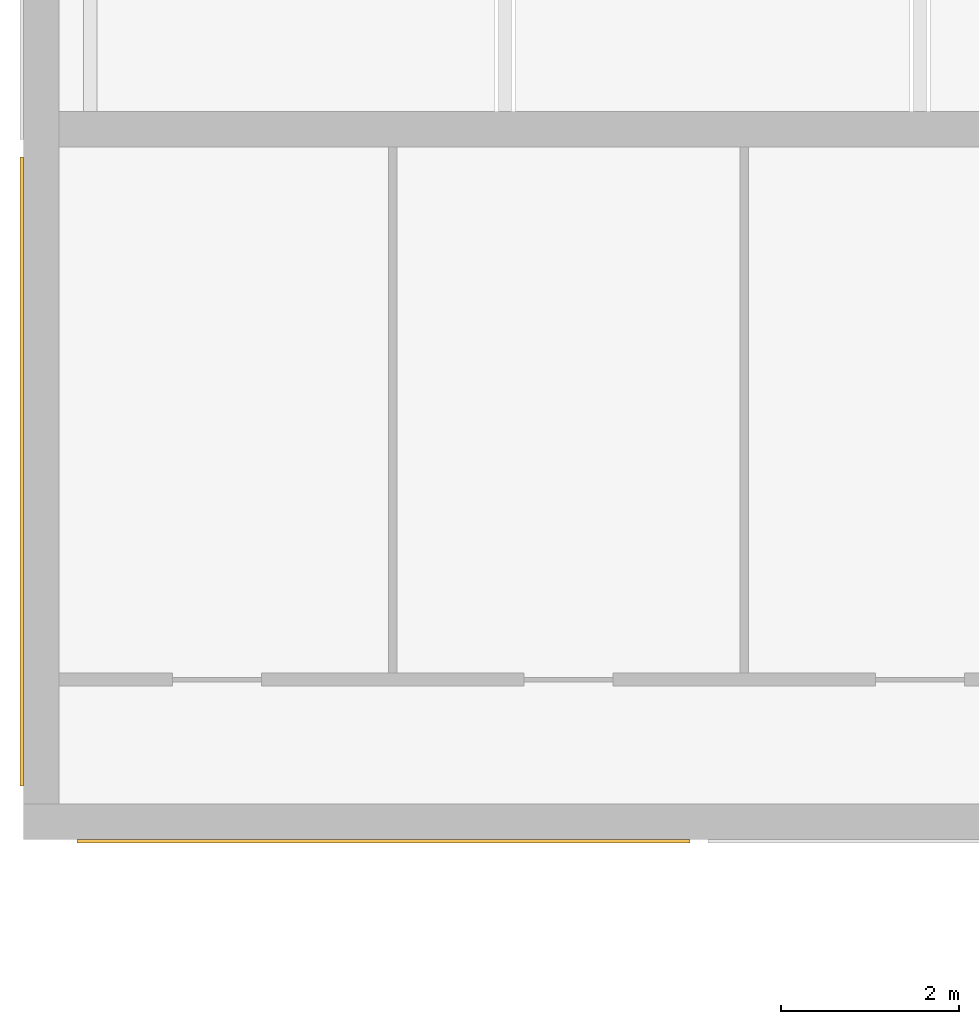
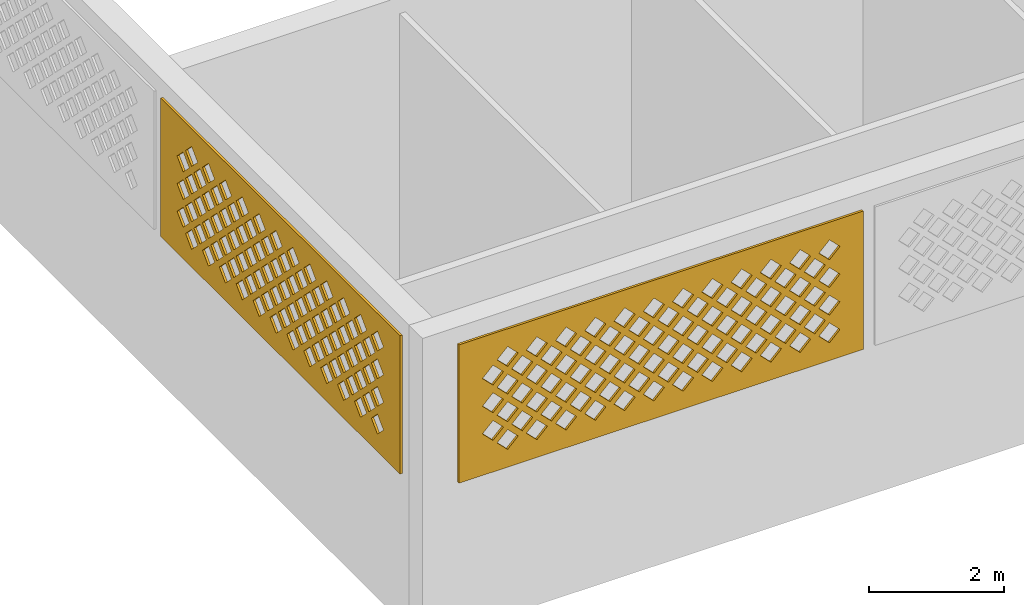
# One storey, part 24 of 69: 2 coverings.
"""IFC4 building model written with IfcOpenShell, lengths in metres."""

from ifc_helpers import new_model, si_unit, direction, frame, origin, place, context, subcontext, project, spatial, polyline, outline, extrude, material, layer, layer_set, type_object, element, save


model = new_model("IFC4")

# Units and contexts
model_context = context("Model", 3, precision=1e-05, world=origin(), true_north=direction((0.0, 1.0)))
body_context = subcontext(model_context, "Body", "Model", "MODEL_VIEW")
ifc_project = project(units=[si_unit("LENGTHUNIT", "METRE"), si_unit("AREAUNIT", "SQUARE_METRE"), si_unit("VOLUMEUNIT", "CUBIC_METRE"), si_unit("PLANEANGLEUNIT", "RADIAN"), si_unit("MASSUNIT", "GRAM", prefix="KILO")], contexts=[model_context])

# Site, building, storey
site_placement = place(None, origin())
site = spatial("IfcSite", under=ifc_project, at=site_placement, CompositionType="ELEMENT")
building_placement = place(site_placement, origin())
building = spatial("IfcBuilding", under=site, at=building_placement, Name="Noorbagh Ring Tower", CompositionType="ELEMENT")
storey_placement = place(building_placement, frame((0.0, 0.0, 19.5)))
storey = spatial("IfcBuildingStorey", under=building, at=storey_placement, Name="L03", CompositionType="ELEMENT", Elevation=19.5)

# Coverings
ifc_material = material(Name="Red sandstone jali", Category="masonry")
ifc_layer = layer(ifc_material, 0.0400390625)
ifc_layer_set = layer_set([ifc_layer], Name="Red sandstone jali")
covering_type = type_object("IfcCoveringType", Name="STH-BAND", PredefinedType="USERDEFINED", material=ifc_layer_set)
covering_1_placement = place(storey_placement, frame((-159.39990234375, -21.0400390625, 2.699951171875), z_axis=(0.0, -1.0, 0.0), x_axis=(1.0, 0.0, 0.0)))
element("IfcCovering", 1, at=covering_1_placement, inside=storey, type_object=covering_type, Name="Jali band", ObjectType="JALI SCREEN", PredefinedType="USERDEFINED", context=body_context, shape_type="SweptSolid", body=[
    extrude(outline(polyline([(0.0, 0.0), (6.910888671875, 0.0), (6.910888671875, 2.5), (0.0, 2.5), (0.0, 0.0)]), holes=[polyline([(0.650634765625, 0.5), (0.83056640625, 0.320068359375), (1.010498046875, 0.5), (0.83056640625, 0.679931640625), (0.650634765625, 0.5)]), polyline([(1.150634765625, 0.5), (1.33056640625, 0.320068359375), (1.510498046875, 0.5), (1.33056640625, 0.679931640625), (1.150634765625, 0.5)]), polyline([(1.650634765625, 0.5), (1.83056640625, 0.320068359375), (2.010498046875, 0.5), (1.83056640625, 0.679931640625), (1.650634765625, 0.5)]), polyline([(2.150634765625, 0.5), (2.33056640625, 0.320068359375), (2.510498046875, 0.5), (2.33056640625, 0.679931640625), (2.150634765625, 0.5)]), polyline([(2.650634765625, 0.5), (2.83056640625, 0.320068359375), (3.010498046875, 0.5), (2.83056640625, 0.679931640625), (2.650634765625, 0.5)]), polyline([(3.150634765625, 0.5), (3.33056640625, 0.320068359375), (3.510498046875, 0.5), (3.33056640625, 0.679931640625), (3.150634765625, 0.5)]), polyline([(3.650634765625, 0.5), (3.83056640625, 0.320068359375), (4.010498046875, 0.5), (3.83056640625, 0.679931640625), (3.650634765625, 0.5)]), polyline([(4.150634765625, 0.5), (4.33056640625, 0.320068359375), (4.510498046875, 0.5), (4.33056640625, 0.679931640625), (4.150634765625, 0.5)]), polyline([(4.650634765625, 0.5), (4.83056640625, 0.320068359375), (5.010498046875, 0.5), (4.83056640625, 0.679931640625), (4.650634765625, 0.5)]), polyline([(5.150634765625, 0.5), (5.33056640625, 0.320068359375), (5.510498046875, 0.5), (5.33056640625, 0.679931640625), (5.150634765625, 0.5)]), polyline([(5.650634765625, 0.5), (5.83056640625, 0.320068359375), (6.010498046875, 0.5), (5.83056640625, 0.679931640625), (5.650634765625, 0.5)]), polyline([(6.150634765625, 0.5), (6.33056640625, 0.320068359375), (6.510498046875, 0.5), (6.33056640625, 0.679931640625), (6.150634765625, 0.5)]), polyline([(0.400634765625, 0.75), (0.58056640625, 0.570068359375), (0.760498046875, 0.75), (0.58056640625, 0.929931640625), (0.400634765625, 0.75)]), polyline([(0.900634765625, 0.75), (1.08056640625, 0.570068359375), (1.260498046875, 0.75), (1.08056640625, 0.929931640625), (0.900634765625, 0.75)]), polyline([(1.400634765625, 0.75), (1.58056640625, 0.570068359375), (1.760498046875, 0.75), (1.58056640625, 0.929931640625), (1.400634765625, 0.75)]), polyline([(1.900634765625, 0.75), (2.08056640625, 0.570068359375), (2.260498046875, 0.75), (2.08056640625, 0.929931640625), (1.900634765625, 0.75)]), polyline([(2.400634765625, 0.75), (2.58056640625, 0.570068359375), (2.760498046875, 0.75), (2.58056640625, 0.929931640625), (2.400634765625, 0.75)]), polyline([(2.900634765625, 0.75), (3.08056640625, 0.570068359375), (3.260498046875, 0.75), (3.08056640625, 0.929931640625), (2.900634765625, 0.75)]), polyline([(3.400634765625, 0.75), (3.58056640625, 0.570068359375), (3.760498046875, 0.75), (3.58056640625, 0.929931640625), (3.400634765625, 0.75)]), polyline([(3.900634765625, 0.75), (4.08056640625, 0.570068359375), (4.260498046875, 0.75), (4.08056640625, 0.929931640625), (3.900634765625, 0.75)]), polyline([(4.400634765625, 0.75), (4.58056640625, 0.570068359375), (4.760498046875, 0.75), (4.58056640625, 0.929931640625), (4.400634765625, 0.75)]), polyline([(4.900634765625, 0.75), (5.08056640625, 0.570068359375), (5.260498046875, 0.75), (5.08056640625, 0.929931640625), (4.900634765625, 0.75)]), polyline([(5.400634765625, 0.75), (5.58056640625, 0.570068359375), (5.760498046875, 0.75), (5.58056640625, 0.929931640625), (5.400634765625, 0.75)]), polyline([(5.900634765625, 0.75), (6.08056640625, 0.570068359375), (6.260498046875, 0.75), (6.08056640625, 0.929931640625), (5.900634765625, 0.75)]), polyline([(0.650634765625, 1.0), (0.83056640625, 0.820068359375), (1.010498046875, 1.0), (0.83056640625, 1.179931640625), (0.650634765625, 1.0)]), polyline([(1.150634765625, 1.0), (1.33056640625, 0.820068359375), (1.510498046875, 1.0), (1.33056640625, 1.179931640625), (1.150634765625, 1.0)]), polyline([(1.650634765625, 1.0), (1.83056640625, 0.820068359375), (2.010498046875, 1.0), (1.83056640625, 1.179931640625), (1.650634765625, 1.0)]), polyline([(2.150634765625, 1.0), (2.33056640625, 0.820068359375), (2.510498046875, 1.0), (2.33056640625, 1.179931640625), (2.150634765625, 1.0)]), polyline([(2.650634765625, 1.0), (2.83056640625, 0.820068359375), (3.010498046875, 1.0), (2.83056640625, 1.179931640625), (2.650634765625, 1.0)]), polyline([(3.150634765625, 1.0), (3.33056640625, 0.820068359375), (3.510498046875, 1.0), (3.33056640625, 1.179931640625), (3.150634765625, 1.0)]), polyline([(3.650634765625, 1.0), (3.83056640625, 0.820068359375), (4.010498046875, 1.0), (3.83056640625, 1.179931640625), (3.650634765625, 1.0)]), polyline([(4.150634765625, 1.0), (4.33056640625, 0.820068359375), (4.510498046875, 1.0), (4.33056640625, 1.179931640625), (4.150634765625, 1.0)]), polyline([(4.650634765625, 1.0), (4.83056640625, 0.820068359375), (5.010498046875, 1.0), (4.83056640625, 1.179931640625), (4.650634765625, 1.0)]), polyline([(5.150634765625, 1.0), (5.33056640625, 0.820068359375), (5.510498046875, 1.0), (5.33056640625, 1.179931640625), (5.150634765625, 1.0)]), polyline([(5.650634765625, 1.0), (5.83056640625, 0.820068359375), (6.010498046875, 1.0), (5.83056640625, 1.179931640625), (5.650634765625, 1.0)]), polyline([(6.150634765625, 1.0), (6.33056640625, 0.820068359375), (6.510498046875, 1.0), (6.33056640625, 1.179931640625), (6.150634765625, 1.0)]), polyline([(0.400634765625, 1.25), (0.58056640625, 1.070068359375), (0.760498046875, 1.25), (0.58056640625, 1.429931640625), (0.400634765625, 1.25)]), polyline([(0.900634765625, 1.25), (1.08056640625, 1.070068359375), (1.260498046875, 1.25), (1.08056640625, 1.429931640625), (0.900634765625, 1.25)]), polyline([(1.400634765625, 1.25), (1.58056640625, 1.070068359375), (1.760498046875, 1.25), (1.58056640625, 1.429931640625), (1.400634765625, 1.25)]), polyline([(1.900634765625, 1.25), (2.08056640625, 1.070068359375), (2.260498046875, 1.25), (2.08056640625, 1.429931640625), (1.900634765625, 1.25)]), polyline([(2.400634765625, 1.25), (2.58056640625, 1.070068359375), (2.760498046875, 1.25), (2.58056640625, 1.429931640625), (2.400634765625, 1.25)]), polyline([(2.900634765625, 1.25), (3.08056640625, 1.070068359375), (3.260498046875, 1.25), (3.08056640625, 1.429931640625), (2.900634765625, 1.25)]), polyline([(3.400634765625, 1.25), (3.58056640625, 1.070068359375), (3.760498046875, 1.25), (3.58056640625, 1.429931640625), (3.400634765625, 1.25)]), polyline([(3.900634765625, 1.25), (4.08056640625, 1.070068359375), (4.260498046875, 1.25), (4.08056640625, 1.429931640625), (3.900634765625, 1.25)]), polyline([(4.400634765625, 1.25), (4.58056640625, 1.070068359375), (4.760498046875, 1.25), (4.58056640625, 1.429931640625), (4.400634765625, 1.25)]), polyline([(4.900634765625, 1.25), (5.08056640625, 1.070068359375), (5.260498046875, 1.25), (5.08056640625, 1.429931640625), (4.900634765625, 1.25)]), polyline([(5.400634765625, 1.25), (5.58056640625, 1.070068359375), (5.760498046875, 1.25), (5.58056640625, 1.429931640625), (5.400634765625, 1.25)]), polyline([(5.900634765625, 1.25), (6.08056640625, 1.070068359375), (6.260498046875, 1.25), (6.08056640625, 1.429931640625), (5.900634765625, 1.25)]), polyline([(0.650634765625, 1.5), (0.83056640625, 1.320068359375), (1.010498046875, 1.5), (0.83056640625, 1.679931640625), (0.650634765625, 1.5)]), polyline([(1.150634765625, 1.5), (1.33056640625, 1.320068359375), (1.510498046875, 1.5), (1.33056640625, 1.679931640625), (1.150634765625, 1.5)]), polyline([(1.650634765625, 1.5), (1.83056640625, 1.320068359375), (2.010498046875, 1.5), (1.83056640625, 1.679931640625), (1.650634765625, 1.5)]), polyline([(2.150634765625, 1.5), (2.33056640625, 1.320068359375), (2.510498046875, 1.5), (2.33056640625, 1.679931640625), (2.150634765625, 1.5)]), polyline([(2.650634765625, 1.5), (2.83056640625, 1.320068359375), (3.010498046875, 1.5), (2.83056640625, 1.679931640625), (2.650634765625, 1.5)]), polyline([(3.150634765625, 1.5), (3.33056640625, 1.320068359375), (3.510498046875, 1.5), (3.33056640625, 1.679931640625), (3.150634765625, 1.5)]), polyline([(3.650634765625, 1.5), (3.83056640625, 1.320068359375), (4.010498046875, 1.5), (3.83056640625, 1.679931640625), (3.650634765625, 1.5)]), polyline([(4.150634765625, 1.5), (4.33056640625, 1.320068359375), (4.510498046875, 1.5), (4.33056640625, 1.679931640625), (4.150634765625, 1.5)]), polyline([(4.650634765625, 1.5), (4.83056640625, 1.320068359375), (5.010498046875, 1.5), (4.83056640625, 1.679931640625), (4.650634765625, 1.5)]), polyline([(5.150634765625, 1.5), (5.33056640625, 1.320068359375), (5.510498046875, 1.5), (5.33056640625, 1.679931640625), (5.150634765625, 1.5)]), polyline([(5.650634765625, 1.5), (5.83056640625, 1.320068359375), (6.010498046875, 1.5), (5.83056640625, 1.679931640625), (5.650634765625, 1.5)]), polyline([(6.150634765625, 1.5), (6.33056640625, 1.320068359375), (6.510498046875, 1.5), (6.33056640625, 1.679931640625), (6.150634765625, 1.5)]), polyline([(0.400634765625, 1.75), (0.58056640625, 1.570068359375), (0.760498046875, 1.75), (0.58056640625, 1.929931640625), (0.400634765625, 1.75)]), polyline([(0.900634765625, 1.75), (1.08056640625, 1.570068359375), (1.260498046875, 1.75), (1.08056640625, 1.929931640625), (0.900634765625, 1.75)]), polyline([(1.400634765625, 1.75), (1.58056640625, 1.570068359375), (1.760498046875, 1.75), (1.58056640625, 1.929931640625), (1.400634765625, 1.75)]), polyline([(1.900634765625, 1.75), (2.08056640625, 1.570068359375), (2.260498046875, 1.75), (2.08056640625, 1.929931640625), (1.900634765625, 1.75)]), polyline([(2.400634765625, 1.75), (2.58056640625, 1.570068359375), (2.760498046875, 1.75), (2.58056640625, 1.929931640625), (2.400634765625, 1.75)]), polyline([(2.900634765625, 1.75), (3.08056640625, 1.570068359375), (3.260498046875, 1.75), (3.08056640625, 1.929931640625), (2.900634765625, 1.75)]), polyline([(3.400634765625, 1.75), (3.58056640625, 1.570068359375), (3.760498046875, 1.75), (3.58056640625, 1.929931640625), (3.400634765625, 1.75)]), polyline([(3.900634765625, 1.75), (4.08056640625, 1.570068359375), (4.260498046875, 1.75), (4.08056640625, 1.929931640625), (3.900634765625, 1.75)]), polyline([(4.400634765625, 1.75), (4.58056640625, 1.570068359375), (4.760498046875, 1.75), (4.58056640625, 1.929931640625), (4.400634765625, 1.75)]), polyline([(4.900634765625, 1.75), (5.08056640625, 1.570068359375), (5.260498046875, 1.75), (5.08056640625, 1.929931640625), (4.900634765625, 1.75)]), polyline([(5.400634765625, 1.75), (5.58056640625, 1.570068359375), (5.760498046875, 1.75), (5.58056640625, 1.929931640625), (5.400634765625, 1.75)]), polyline([(5.900634765625, 1.75), (6.08056640625, 1.570068359375), (6.260498046875, 1.75), (6.08056640625, 1.929931640625), (5.900634765625, 1.75)]), polyline([(0.650634765625, 2.0), (0.83056640625, 1.820068359375), (1.010498046875, 2.0), (0.83056640625, 2.179931640625), (0.650634765625, 2.0)]), polyline([(1.150634765625, 2.0), (1.33056640625, 1.820068359375), (1.510498046875, 2.0), (1.33056640625, 2.179931640625), (1.150634765625, 2.0)]), polyline([(1.650634765625, 2.0), (1.83056640625, 1.820068359375), (2.010498046875, 2.0), (1.83056640625, 2.179931640625), (1.650634765625, 2.0)]), polyline([(2.150634765625, 2.0), (2.33056640625, 1.820068359375), (2.510498046875, 2.0), (2.33056640625, 2.179931640625), (2.150634765625, 2.0)]), polyline([(2.650634765625, 2.0), (2.83056640625, 1.820068359375), (3.010498046875, 2.0), (2.83056640625, 2.179931640625), (2.650634765625, 2.0)]), polyline([(3.150634765625, 2.0), (3.33056640625, 1.820068359375), (3.510498046875, 2.0), (3.33056640625, 2.179931640625), (3.150634765625, 2.0)]), polyline([(3.650634765625, 2.0), (3.83056640625, 1.820068359375), (4.010498046875, 2.0), (3.83056640625, 2.179931640625), (3.650634765625, 2.0)]), polyline([(4.150634765625, 2.0), (4.33056640625, 1.820068359375), (4.510498046875, 2.0), (4.33056640625, 2.179931640625), (4.150634765625, 2.0)]), polyline([(4.650634765625, 2.0), (4.83056640625, 1.820068359375), (5.010498046875, 2.0), (4.83056640625, 2.179931640625), (4.650634765625, 2.0)]), polyline([(5.150634765625, 2.0), (5.33056640625, 1.820068359375), (5.510498046875, 2.0), (5.33056640625, 2.179931640625), (5.150634765625, 2.0)]), polyline([(5.650634765625, 2.0), (5.83056640625, 1.820068359375), (6.010498046875, 2.0), (5.83056640625, 2.179931640625), (5.650634765625, 2.0)]), polyline([(6.150634765625, 2.0), (6.33056640625, 1.820068359375), (6.510498046875, 2.0), (6.33056640625, 2.179931640625), (6.150634765625, 2.0)])]), origin(), (0.0, 0.0, -1.0), 0.0400390625),
])
covering_2_placement = place(storey_placement, frame((-160.0400390625, -13.314208984375, 2.699951171875), z_axis=(-1.0, 0.0, 0.0), x_axis=(0.0, -1.0, 0.0)))
element("IfcCovering", 2, at=covering_2_placement, inside=storey, type_object=covering_type, Name="Jali band", ObjectType="JALI SCREEN", PredefinedType="USERDEFINED", context=body_context, shape_type="SweptSolid", body=[
    extrude(outline(polyline([(0.0, 0.0), (7.085693359375, 0.0), (7.085693359375, 2.5), (0.0, 2.5), (0.0, 0.0)]), holes=[polyline([(0.73779296875, 0.5), (0.91796875, 0.320068359375), (1.097900390625, 0.5), (0.91796875, 0.679931640625), (0.73779296875, 0.5)]), polyline([(1.23779296875, 0.5), (1.41796875, 0.320068359375), (1.597900390625, 0.5), (1.41796875, 0.679931640625), (1.23779296875, 0.5)]), polyline([(1.73779296875, 0.5), (1.91796875, 0.320068359375), (2.097900390625, 0.5), (1.91796875, 0.679931640625), (1.73779296875, 0.5)]), polyline([(2.23779296875, 0.5), (2.41796875, 0.320068359375), (2.597900390625, 0.5), (2.41796875, 0.679931640625), (2.23779296875, 0.5)]), polyline([(2.73779296875, 0.5), (2.91796875, 0.320068359375), (3.097900390625, 0.5), (2.91796875, 0.679931640625), (2.73779296875, 0.5)]), polyline([(3.23779296875, 0.5), (3.41796875, 0.320068359375), (3.597900390625, 0.5), (3.41796875, 0.679931640625), (3.23779296875, 0.5)]), polyline([(3.73779296875, 0.5), (3.91796875, 0.320068359375), (4.097900390625, 0.5), (3.91796875, 0.679931640625), (3.73779296875, 0.5)]), polyline([(4.23779296875, 0.5), (4.41796875, 0.320068359375), (4.597900390625, 0.5), (4.41796875, 0.679931640625), (4.23779296875, 0.5)]), polyline([(4.73779296875, 0.5), (4.91796875, 0.320068359375), (5.097900390625, 0.5), (4.91796875, 0.679931640625), (4.73779296875, 0.5)]), polyline([(5.23779296875, 0.5), (5.41796875, 0.320068359375), (5.597900390625, 0.5), (5.41796875, 0.679931640625), (5.23779296875, 0.5)]), polyline([(5.73779296875, 0.5), (5.91796875, 0.320068359375), (6.097900390625, 0.5), (5.91796875, 0.679931640625), (5.73779296875, 0.5)]), polyline([(6.23779296875, 0.5), (6.41796875, 0.320068359375), (6.597900390625, 0.5), (6.41796875, 0.679931640625), (6.23779296875, 0.5)]), polyline([(0.48779296875, 0.75), (0.66796875, 0.570068359375), (0.847900390625, 0.75), (0.66796875, 0.929931640625), (0.48779296875, 0.75)]), polyline([(0.98779296875, 0.75), (1.16796875, 0.570068359375), (1.347900390625, 0.75), (1.16796875, 0.929931640625), (0.98779296875, 0.75)]), polyline([(1.48779296875, 0.75), (1.66796875, 0.570068359375), (1.847900390625, 0.75), (1.66796875, 0.929931640625), (1.48779296875, 0.75)]), polyline([(1.98779296875, 0.75), (2.16796875, 0.570068359375), (2.347900390625, 0.75), (2.16796875, 0.929931640625), (1.98779296875, 0.75)]), polyline([(2.48779296875, 0.75), (2.66796875, 0.570068359375), (2.847900390625, 0.75), (2.66796875, 0.929931640625), (2.48779296875, 0.75)]), polyline([(2.98779296875, 0.75), (3.16796875, 0.570068359375), (3.347900390625, 0.75), (3.16796875, 0.929931640625), (2.98779296875, 0.75)]), polyline([(3.48779296875, 0.75), (3.66796875, 0.570068359375), (3.847900390625, 0.75), (3.66796875, 0.929931640625), (3.48779296875, 0.75)]), polyline([(3.98779296875, 0.75), (4.16796875, 0.570068359375), (4.347900390625, 0.75), (4.16796875, 0.929931640625), (3.98779296875, 0.75)]), polyline([(4.48779296875, 0.75), (4.66796875, 0.570068359375), (4.847900390625, 0.75), (4.66796875, 0.929931640625), (4.48779296875, 0.75)]), polyline([(4.98779296875, 0.75), (5.16796875, 0.570068359375), (5.347900390625, 0.75), (5.16796875, 0.929931640625), (4.98779296875, 0.75)]), polyline([(5.48779296875, 0.75), (5.66796875, 0.570068359375), (5.847900390625, 0.75), (5.66796875, 0.929931640625), (5.48779296875, 0.75)]), polyline([(5.98779296875, 0.75), (6.16796875, 0.570068359375), (6.347900390625, 0.75), (6.16796875, 0.929931640625), (5.98779296875, 0.75)]), polyline([(0.73779296875, 1.0), (0.91796875, 0.820068359375), (1.097900390625, 1.0), (0.91796875, 1.179931640625), (0.73779296875, 1.0)]), polyline([(1.23779296875, 1.0), (1.41796875, 0.820068359375), (1.597900390625, 1.0), (1.41796875, 1.179931640625), (1.23779296875, 1.0)]), polyline([(1.73779296875, 1.0), (1.91796875, 0.820068359375), (2.097900390625, 1.0), (1.91796875, 1.179931640625), (1.73779296875, 1.0)]), polyline([(2.23779296875, 1.0), (2.41796875, 0.820068359375), (2.597900390625, 1.0), (2.41796875, 1.179931640625), (2.23779296875, 1.0)]), polyline([(2.73779296875, 1.0), (2.91796875, 0.820068359375), (3.097900390625, 1.0), (2.91796875, 1.179931640625), (2.73779296875, 1.0)]), polyline([(3.23779296875, 1.0), (3.41796875, 0.820068359375), (3.597900390625, 1.0), (3.41796875, 1.179931640625), (3.23779296875, 1.0)]), polyline([(3.73779296875, 1.0), (3.91796875, 0.820068359375), (4.097900390625, 1.0), (3.91796875, 1.179931640625), (3.73779296875, 1.0)]), polyline([(4.23779296875, 1.0), (4.41796875, 0.820068359375), (4.597900390625, 1.0), (4.41796875, 1.179931640625), (4.23779296875, 1.0)]), polyline([(4.73779296875, 1.0), (4.91796875, 0.820068359375), (5.097900390625, 1.0), (4.91796875, 1.179931640625), (4.73779296875, 1.0)]), polyline([(5.23779296875, 1.0), (5.41796875, 0.820068359375), (5.597900390625, 1.0), (5.41796875, 1.179931640625), (5.23779296875, 1.0)]), polyline([(5.73779296875, 1.0), (5.91796875, 0.820068359375), (6.097900390625, 1.0), (5.91796875, 1.179931640625), (5.73779296875, 1.0)]), polyline([(6.23779296875, 1.0), (6.41796875, 0.820068359375), (6.597900390625, 1.0), (6.41796875, 1.179931640625), (6.23779296875, 1.0)]), polyline([(0.48779296875, 1.25), (0.66796875, 1.070068359375), (0.847900390625, 1.25), (0.66796875, 1.429931640625), (0.48779296875, 1.25)]), polyline([(0.98779296875, 1.25), (1.16796875, 1.070068359375), (1.347900390625, 1.25), (1.16796875, 1.429931640625), (0.98779296875, 1.25)]), polyline([(1.48779296875, 1.25), (1.66796875, 1.070068359375), (1.847900390625, 1.25), (1.66796875, 1.429931640625), (1.48779296875, 1.25)]), polyline([(1.98779296875, 1.25), (2.16796875, 1.070068359375), (2.347900390625, 1.25), (2.16796875, 1.429931640625), (1.98779296875, 1.25)]), polyline([(2.48779296875, 1.25), (2.66796875, 1.070068359375), (2.847900390625, 1.25), (2.66796875, 1.429931640625), (2.48779296875, 1.25)]), polyline([(2.98779296875, 1.25), (3.16796875, 1.070068359375), (3.347900390625, 1.25), (3.16796875, 1.429931640625), (2.98779296875, 1.25)]), polyline([(3.48779296875, 1.25), (3.66796875, 1.070068359375), (3.847900390625, 1.25), (3.66796875, 1.429931640625), (3.48779296875, 1.25)]), polyline([(3.98779296875, 1.25), (4.16796875, 1.070068359375), (4.347900390625, 1.25), (4.16796875, 1.429931640625), (3.98779296875, 1.25)]), polyline([(4.48779296875, 1.25), (4.66796875, 1.070068359375), (4.847900390625, 1.25), (4.66796875, 1.429931640625), (4.48779296875, 1.25)]), polyline([(4.98779296875, 1.25), (5.16796875, 1.070068359375), (5.347900390625, 1.25), (5.16796875, 1.429931640625), (4.98779296875, 1.25)]), polyline([(5.48779296875, 1.25), (5.66796875, 1.070068359375), (5.847900390625, 1.25), (5.66796875, 1.429931640625), (5.48779296875, 1.25)]), polyline([(5.98779296875, 1.25), (6.16796875, 1.070068359375), (6.347900390625, 1.25), (6.16796875, 1.429931640625), (5.98779296875, 1.25)]), polyline([(0.73779296875, 1.5), (0.91796875, 1.320068359375), (1.097900390625, 1.5), (0.91796875, 1.679931640625), (0.73779296875, 1.5)]), polyline([(1.23779296875, 1.5), (1.41796875, 1.320068359375), (1.597900390625, 1.5), (1.41796875, 1.679931640625), (1.23779296875, 1.5)]), polyline([(1.73779296875, 1.5), (1.91796875, 1.320068359375), (2.097900390625, 1.5), (1.91796875, 1.679931640625), (1.73779296875, 1.5)]), polyline([(2.23779296875, 1.5), (2.41796875, 1.320068359375), (2.597900390625, 1.5), (2.41796875, 1.679931640625), (2.23779296875, 1.5)]), polyline([(2.73779296875, 1.5), (2.91796875, 1.320068359375), (3.097900390625, 1.5), (2.91796875, 1.679931640625), (2.73779296875, 1.5)]), polyline([(3.23779296875, 1.5), (3.41796875, 1.320068359375), (3.597900390625, 1.5), (3.41796875, 1.679931640625), (3.23779296875, 1.5)]), polyline([(3.73779296875, 1.5), (3.91796875, 1.320068359375), (4.097900390625, 1.5), (3.91796875, 1.679931640625), (3.73779296875, 1.5)]), polyline([(4.23779296875, 1.5), (4.41796875, 1.320068359375), (4.597900390625, 1.5), (4.41796875, 1.679931640625), (4.23779296875, 1.5)]), polyline([(4.73779296875, 1.5), (4.91796875, 1.320068359375), (5.097900390625, 1.5), (4.91796875, 1.679931640625), (4.73779296875, 1.5)]), polyline([(5.23779296875, 1.5), (5.41796875, 1.320068359375), (5.597900390625, 1.5), (5.41796875, 1.679931640625), (5.23779296875, 1.5)]), polyline([(5.73779296875, 1.5), (5.91796875, 1.320068359375), (6.097900390625, 1.5), (5.91796875, 1.679931640625), (5.73779296875, 1.5)]), polyline([(6.23779296875, 1.5), (6.41796875, 1.320068359375), (6.597900390625, 1.5), (6.41796875, 1.679931640625), (6.23779296875, 1.5)]), polyline([(0.48779296875, 1.75), (0.66796875, 1.570068359375), (0.847900390625, 1.75), (0.66796875, 1.929931640625), (0.48779296875, 1.75)]), polyline([(0.98779296875, 1.75), (1.16796875, 1.570068359375), (1.347900390625, 1.75), (1.16796875, 1.929931640625), (0.98779296875, 1.75)]), polyline([(1.48779296875, 1.75), (1.66796875, 1.570068359375), (1.847900390625, 1.75), (1.66796875, 1.929931640625), (1.48779296875, 1.75)]), polyline([(1.98779296875, 1.75), (2.16796875, 1.570068359375), (2.347900390625, 1.75), (2.16796875, 1.929931640625), (1.98779296875, 1.75)]), polyline([(2.48779296875, 1.75), (2.66796875, 1.570068359375), (2.847900390625, 1.75), (2.66796875, 1.929931640625), (2.48779296875, 1.75)]), polyline([(2.98779296875, 1.75), (3.16796875, 1.570068359375), (3.347900390625, 1.75), (3.16796875, 1.929931640625), (2.98779296875, 1.75)]), polyline([(3.48779296875, 1.75), (3.66796875, 1.570068359375), (3.847900390625, 1.75), (3.66796875, 1.929931640625), (3.48779296875, 1.75)]), polyline([(3.98779296875, 1.75), (4.16796875, 1.570068359375), (4.347900390625, 1.75), (4.16796875, 1.929931640625), (3.98779296875, 1.75)]), polyline([(4.48779296875, 1.75), (4.66796875, 1.570068359375), (4.847900390625, 1.75), (4.66796875, 1.929931640625), (4.48779296875, 1.75)]), polyline([(4.98779296875, 1.75), (5.16796875, 1.570068359375), (5.347900390625, 1.75), (5.16796875, 1.929931640625), (4.98779296875, 1.75)]), polyline([(5.48779296875, 1.75), (5.66796875, 1.570068359375), (5.847900390625, 1.75), (5.66796875, 1.929931640625), (5.48779296875, 1.75)]), polyline([(5.98779296875, 1.75), (6.16796875, 1.570068359375), (6.347900390625, 1.75), (6.16796875, 1.929931640625), (5.98779296875, 1.75)]), polyline([(0.73779296875, 2.0), (0.91796875, 1.820068359375), (1.097900390625, 2.0), (0.91796875, 2.179931640625), (0.73779296875, 2.0)]), polyline([(1.23779296875, 2.0), (1.41796875, 1.820068359375), (1.597900390625, 2.0), (1.41796875, 2.179931640625), (1.23779296875, 2.0)]), polyline([(1.73779296875, 2.0), (1.91796875, 1.820068359375), (2.097900390625, 2.0), (1.91796875, 2.179931640625), (1.73779296875, 2.0)]), polyline([(2.23779296875, 2.0), (2.41796875, 1.820068359375), (2.597900390625, 2.0), (2.41796875, 2.179931640625), (2.23779296875, 2.0)]), polyline([(2.73779296875, 2.0), (2.91796875, 1.820068359375), (3.097900390625, 2.0), (2.91796875, 2.179931640625), (2.73779296875, 2.0)]), polyline([(3.23779296875, 2.0), (3.41796875, 1.820068359375), (3.597900390625, 2.0), (3.41796875, 2.179931640625), (3.23779296875, 2.0)]), polyline([(3.73779296875, 2.0), (3.91796875, 1.820068359375), (4.097900390625, 2.0), (3.91796875, 2.179931640625), (3.73779296875, 2.0)]), polyline([(4.23779296875, 2.0), (4.41796875, 1.820068359375), (4.597900390625, 2.0), (4.41796875, 2.179931640625), (4.23779296875, 2.0)]), polyline([(4.73779296875, 2.0), (4.91796875, 1.820068359375), (5.097900390625, 2.0), (4.91796875, 2.179931640625), (4.73779296875, 2.0)]), polyline([(5.23779296875, 2.0), (5.41796875, 1.820068359375), (5.597900390625, 2.0), (5.41796875, 2.179931640625), (5.23779296875, 2.0)]), polyline([(5.73779296875, 2.0), (5.91796875, 1.820068359375), (6.097900390625, 2.0), (5.91796875, 2.179931640625), (5.73779296875, 2.0)]), polyline([(6.23779296875, 2.0), (6.41796875, 1.820068359375), (6.597900390625, 2.0), (6.41796875, 2.179931640625), (6.23779296875, 2.0)])]), origin(), (0.0, 0.0, -1.0), 0.0400390625),
])

save(model, "model.ifc")
